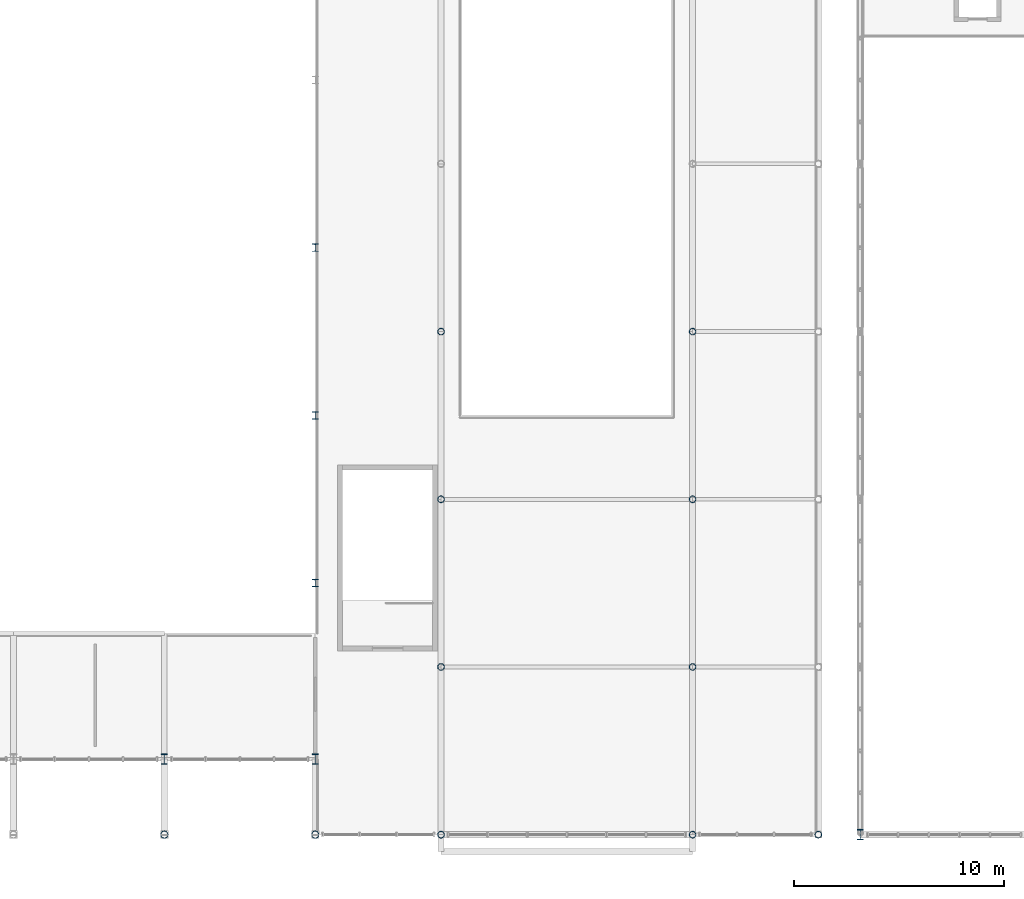
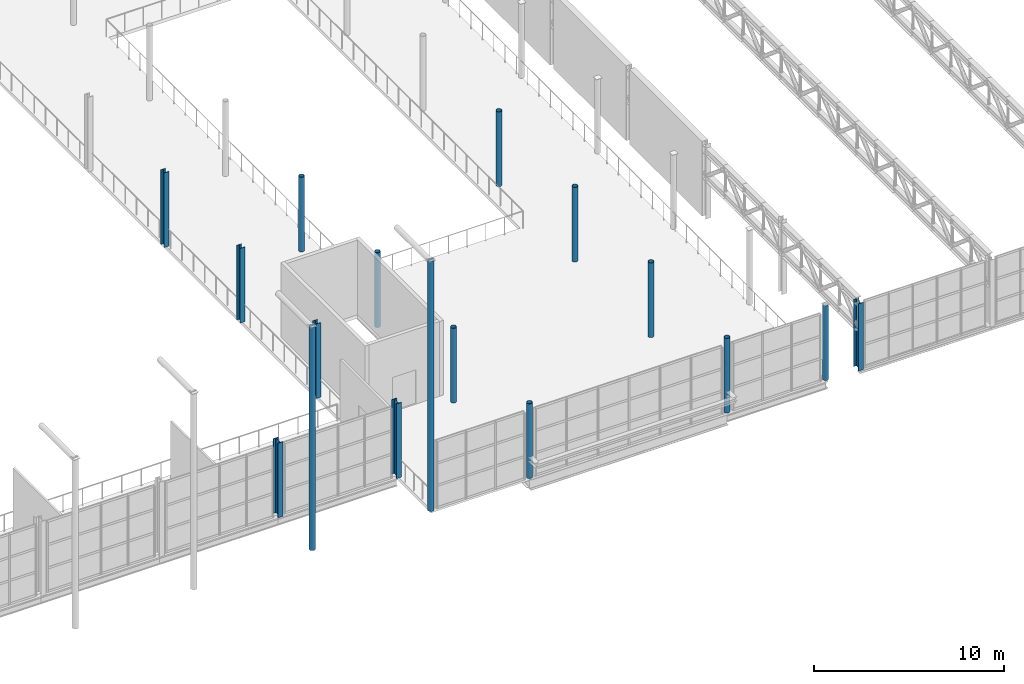
# One storey, part 5 of 143: 17 columns.
"""IFC4 building model written with IfcOpenShell, lengths in metres."""

from ifc_helpers import new_model, si_unit, derived_unit, direction, frame, origin, origin_2d, place, context, subcontext, project, spatial, hollow_circle, i_section, extrude, material, material_profile, profile_set, type_object, element, save


model = new_model("IFC4")

# Units and contexts
model_context = context("Model", 3, precision=1e-05, world=origin(), true_north=direction((0.0, 1.0)))
body_context = subcontext(model_context, "Body", "Model", "MODEL_VIEW")
ifc_project = project(units=[si_unit("LENGTHUNIT", "METRE"), si_unit("AREAUNIT", "SQUARE_METRE"), si_unit("VOLUMEUNIT", "CUBIC_METRE"), si_unit("PLANEANGLEUNIT", "RADIAN"), si_unit("MASSUNIT", "GRAM", prefix="KILO"), derived_unit("THERMALTRANSMITTANCEUNIT", [(si_unit("POWERUNIT", "WATT"), 1), (si_unit("LENGTHUNIT", "METRE"), -2), (si_unit("THERMODYNAMICTEMPERATUREUNIT", "KELVIN"), -1)])], contexts=[model_context])

# Site, building, storey
site_placement = place(None, origin())
site = spatial("IfcSite", under=ifc_project, at=site_placement, CompositionType="ELEMENT")
building_placement = place(site_placement, origin())
building = spatial("IfcBuilding", under=site, at=building_placement, Name="Keldorne Ridge Multi-Sports Centre", CompositionType="ELEMENT")
storey_placement = place(building_placement, frame((0.0, 0.0, 4.800048828125)))
storey = spatial("IfcBuildingStorey", under=building, at=storey_placement, Name="L01", CompositionType="ELEMENT", Elevation=4.800048828125)

# Columns
ifc_material = material(Name="Steel S355", Category="steel")
ifc_material_profile_1 = material_profile(ifc_material, hollow_circle(Radius=0.177734375, WallThickness=0.01611328125, at=origin_2d()), Name="CHS 355.6x16")
ifc_profile_set_1 = profile_set([ifc_material_profile_1], Name="Steel S355")
column_type_1 = type_object("IfcColumnType", Name="COL-C-03", PredefinedType="PILASTER", material=ifc_profile_set_1)
column_1_placement = place(storey_placement, frame((70.800048828125, 6.0, 0.0), z_axis=(0.0, 0.0, 1.0), x_axis=(1.0, 0.0, 0.0)))
element("IfcColumn", 1, at=column_1_placement, inside=storey, type_object=column_type_1, Name="Structural column V1-COLN-10 on L01", PredefinedType="PILASTER", context=body_context, shape_type="SweptSolid", body=[
    extrude(hollow_circle(Radius=0.177734375, WallThickness=0.01611328125, at=origin_2d()), origin(), (0.0, 0.0, 1.0), 14.329833984375),
])
column_2_placement = place(storey_placement, frame((78.0, 6.0, 0.0), z_axis=(0.0, 0.0, 1.0), x_axis=(1.0, 0.0, 0.0)))
element("IfcColumn", 2, at=column_2_placement, inside=storey, type_object=column_type_1, Name="Structural column V1-COLN-11 on L01", PredefinedType="PILASTER", context=body_context, shape_type="SweptSolid", body=[
    extrude(hollow_circle(Radius=0.177734375, WallThickness=0.01611328125, at=origin_2d()), origin(), (0.0, 0.0, 1.0), 16.050048828125),
])
ifc_material_profile_2 = material_profile(ifc_material, i_section(OverallWidth=0.300048828125, OverallDepth=0.5, WebThickness=0.014404296875, FlangeThickness=0.028076171875, FilletRadius=0.027099609375, at=origin_2d()), Name="HEB 500")
ifc_profile_set_2 = profile_set([ifc_material_profile_2], Name="Steel S355")
column_type_2 = type_object("IfcColumnType", Name="COL-C-05", PredefinedType="COLUMN", material=ifc_profile_set_2)
for number, where, z_axis, x_axis, name in (
    (3, (70.800048828125, 9.60009765625, 0.0), (0.0, 0.0, 1.0), (1.0, 0.0, 0.0), "Structural column V1-HALL-S-10 on L01"),
    (4, (78.0, 9.60009765625, 0.0), (0.0, 0.0, 1.0), (1.0, 0.0, 0.0), "Structural column V1-HALL-S-11 on L01"),
):
    element("IfcColumn", number, at=place(storey_placement, frame(where, z_axis=z_axis, x_axis=x_axis)), inside=storey, type_object=column_type_2, Name=name, PredefinedType="COLUMN", context=body_context, shape_type="SweptSolid", body=[
        extrude(i_section(OverallWidth=0.300048828125, OverallDepth=0.5, WebThickness=0.014404296875, FlangeThickness=0.028076171875, FilletRadius=0.027099609375, at=origin_2d()), origin(), (0.0, 0.0, 1.0), 4.800048828125),
    ])
column_3_placement = place(storey_placement, frame((104.0, 6.0, 0.0), z_axis=(0.0, 0.0, 1.0), x_axis=(1.0, 0.0, 0.0)))
element("IfcColumn", 5, at=column_3_placement, inside=storey, type_object=column_type_2, Name="Structural column V2-TRUSS-S-01 on L01", PredefinedType="COLUMN", context=body_context, shape_type="SweptSolid", body=[
    extrude(i_section(OverallWidth=0.300048828125, OverallDepth=0.5, WebThickness=0.014404296875, FlangeThickness=0.028076171875, FilletRadius=0.027099609375, at=origin_2d()), origin(), (0.0, 0.0, 1.0), 4.31005859375),
])
ifc_material_profile_3 = material_profile(ifc_material, hollow_circle(Radius=0.161865234375, WallThickness=0.01611328125, at=origin_2d()), Name="CHS 323.9x16")
ifc_profile_set_3 = profile_set([ifc_material_profile_3], Name="Steel S355")
column_type_3 = type_object("IfcColumnType", Name="COL-C-08", PredefinedType="COLUMN", material=ifc_profile_set_3)
for number, where, z_axis, x_axis, name in (
    (6, (84.0, 6.0, 0.0), (0.0, 0.0, 1.0), (1.0, 0.0, 0.0), "Structural column V4-G12-01 on L01"),
    (7, (96.0, 6.0, 0.0), (0.0, 0.0, 1.0), (1.0, 0.0, 0.0), "Structural column V4-G14-01 on L01"),
    (8, (102.0, 6.0, 0.0), (0.0, 0.0, 1.0), (1.0, 0.0, 0.0), "Structural column V4-G15-01 on L01"),
    (9, (84.0, 14.0, 0.0), (0.0, 0.0, 1.0), (1.0, 0.0, 0.0), "Structural column V4-G12-02 on L01"),
    (10, (96.0, 14.0, 0.0), (0.0, 0.0, 1.0), (1.0, 0.0, 0.0), "Structural column V4-G14-02 on L01"),
    (11, (84.0, 22.0, 0.0), (0.0, 0.0, 1.0), (1.0, 0.0, 0.0), "Structural column V4-G12-03 on L01"),
    (12, (96.0, 22.0, 0.0), (0.0, 0.0, 1.0), (1.0, 0.0, 0.0), "Structural column V4-G14-03 on L01"),
    (13, (84.0, 30.0, 0.0), (0.0, 0.0, 1.0), (1.0, 0.0, 0.0), "Structural column V4-G12-04 on L01"),
    (14, (96.0, 30.0, 0.0), (0.0, 0.0, 1.0), (1.0, 0.0, 0.0), "Structural column V4-G14-04 on L01"),
):
    element("IfcColumn", number, at=place(storey_placement, frame(where, z_axis=z_axis, x_axis=x_axis)), inside=storey, type_object=column_type_3, Name=name, PredefinedType="COLUMN", context=body_context, shape_type="SweptSolid", body=[
        extrude(hollow_circle(Radius=0.161865234375, WallThickness=0.01611328125, at=origin_2d()), origin(), (0.0, 0.0, 1.0), 4.800048828125),
    ])
ifc_material_profile_4 = material_profile(ifc_material, i_section(OverallWidth=0.300048828125, OverallDepth=0.360107421875, WebThickness=0.012451171875, FlangeThickness=0.0224609375, FilletRadius=0.027099609375, at=origin_2d()), Name="HEB 360")
ifc_profile_set_4 = profile_set([ifc_material_profile_4], Name="Steel S355")
column_type_4 = type_object("IfcColumnType", Name="COL-C-10", PredefinedType="COLUMN", material=ifc_profile_set_4)
for number, where, z_axis, x_axis, name in (
    (15, (78.0, 18.0, 0.0), (0.0, 0.0, 1.0), (1.0, 0.0, 0.0), "Structural column V1-GABLE-E-01 on L01"),
    (16, (78.0, 26.0, 0.0), (0.0, 0.0, 1.0), (1.0, 0.0, 0.0), "Structural column V1-GABLE-E-02 on L01"),
    (17, (78.0, 34.0, 0.0), (0.0, 0.0, 1.0), (1.0, 0.0, 0.0), "Structural column V1-GABLE-E-03 on L01"),
):
    element("IfcColumn", number, at=place(storey_placement, frame(where, z_axis=z_axis, x_axis=x_axis)), inside=storey, type_object=column_type_4, Name=name, PredefinedType="COLUMN", context=body_context, shape_type="SweptSolid", body=[
        extrude(i_section(OverallWidth=0.300048828125, OverallDepth=0.360107421875, WebThickness=0.012451171875, FlangeThickness=0.0224609375, FilletRadius=0.027099609375, at=origin_2d()), origin(), (0.0, 0.0, 1.0), 4.800048828125),
    ])

save(model, "model.ifc")
